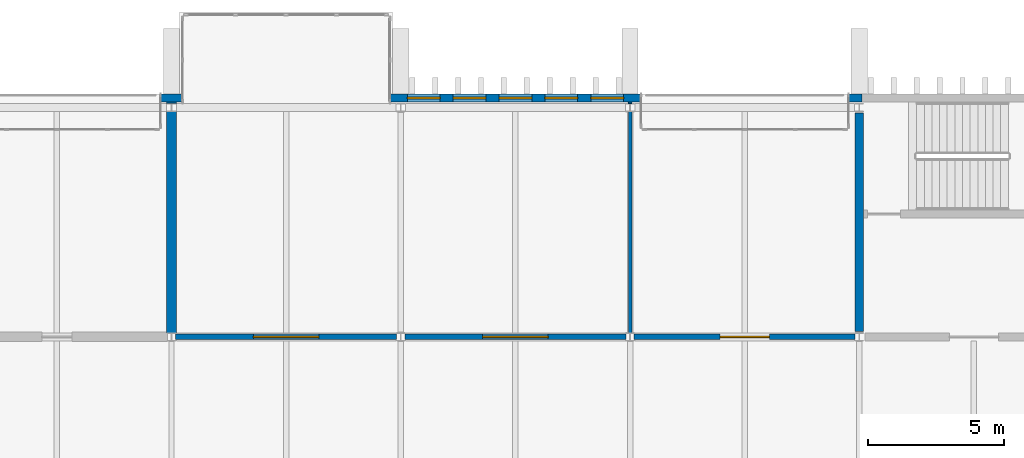
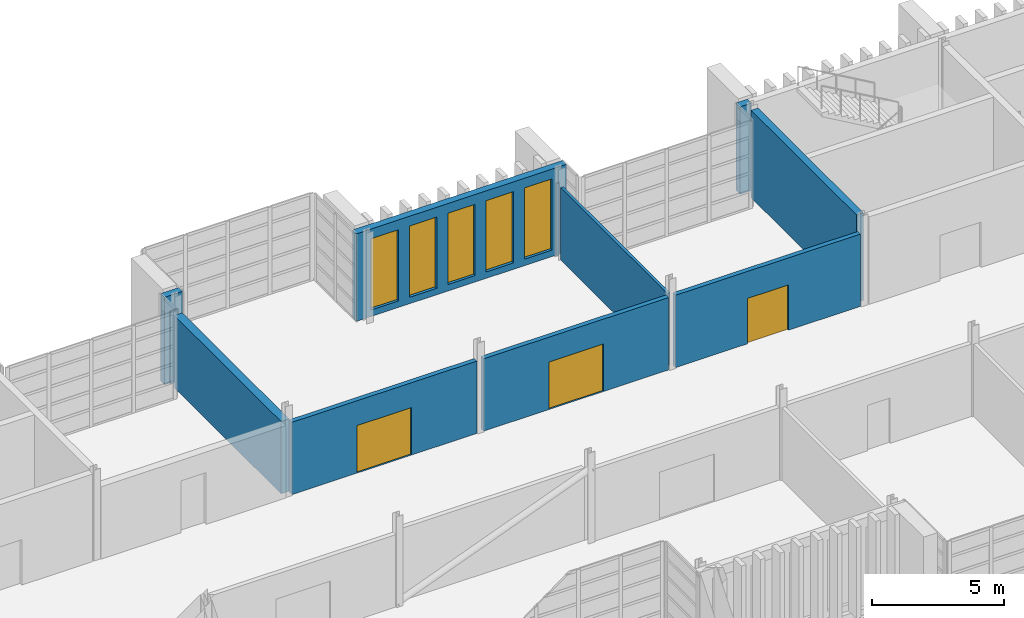
# One storey, part 64 of 100: 11 walls, 5 windows, 3 doors, 8 openings.
"""IFC4 building model written with IfcOpenShell, lengths in metres."""

from ifc_helpers import new_model, si_unit, direction, frame, frame_2d, origin, place, context, subcontext, project, spatial, rectangle, extrude, material, layer, layer_set, type_object, element, fill, save


model = new_model("IFC4")

# Units and contexts
model_context = context("Model", 3, precision=1e-05, world=origin(), true_north=direction((0.0, 1.0)))
body_context = subcontext(model_context, "Body", "Model", "MODEL_VIEW")
ifc_project = project(units=[si_unit("LENGTHUNIT", "METRE"), si_unit("AREAUNIT", "SQUARE_METRE"), si_unit("VOLUMEUNIT", "CUBIC_METRE"), si_unit("PLANEANGLEUNIT", "RADIAN"), si_unit("MASSUNIT", "GRAM", prefix="KILO")], contexts=[model_context])

# Site, building, storey
site_placement = place(None, origin())
site = spatial("IfcSite", under=ifc_project, at=site_placement, CompositionType="ELEMENT")
building_placement = place(site_placement, origin())
building = spatial("IfcBuilding", under=site, at=building_placement, Name="Cresset Court Congress Hotel", CompositionType="ELEMENT")
storey_placement = place(building_placement, frame((0.0, 0.0, 10.199951171875)))
storey = spatial("IfcBuildingStorey", under=building, at=storey_placement, Name="L02", CompositionType="ELEMENT", Elevation=10.199951171875)

# Walls
ifc_material_1 = material(Name="Double gypsum board leaves on steel studs with mineral wool", Category="steel")
ifc_layer_1 = layer(ifc_material_1, 0.35009765625)
ifc_layer_set_1 = layer_set([ifc_layer_1], Name="Acoustic double-leaf boardroom wall 350")
wall_type_1 = type_object("IfcWallType", Name="Acoustic double-leaf boardroom wall 350", PredefinedType="PARTITIONING", material=ifc_layer_set_1)
wall_1_placement = place(storey_placement, frame((75.60009765625, 16.949951171875, 0.0), z_axis=(0.0, 0.0, 1.0), x_axis=(0.0, 1.0, 0.0)))
element("IfcWall", 1, at=wall_1_placement, inside=storey, type_object=wall_type_1, Name="Boardroom acoustic wall", PredefinedType="PARTITIONING", context=body_context, shape_type="SweptSolid", body=[
    extrude(rectangle(XDim=8.10009765625, YDim=0.35009765625, at=frame_2d((4.050048828125, 0.0))), origin(), (0.0, 0.0, 1.0), 3.35009765625),
])
wall_2_placement = place(storey_placement, frame((75.60009765625, 25.35009765625, 0.0), z_axis=(0.0, 0.0, 1.0), x_axis=(0.0, 1.0, 0.0)))
element("IfcWall", 2, at=wall_2_placement, inside=storey, type_object=wall_type_1, Name="Boardroom acoustic wall", PredefinedType="PARTITIONING", context=body_context, shape_type="SweptSolid", body=[
    extrude(rectangle(XDim=0.0498046875, YDim=0.35009765625, at=frame_2d((0.02490234375, 0.0))), origin(), (0.0, 0.0, 1.0), 3.35009765625),
])
ifc_material_2 = material(Name="Concrete C50", Category="concrete")
ifc_layer_2 = layer(ifc_material_2, 0.300048828125)
ifc_layer_set_2 = layer_set([ifc_layer_2], Name="Core wall 300 Concrete C50")
wall_type_2 = type_object("IfcWallType", Name="Core wall 300 Concrete C50", PredefinedType="SHEAR", material=ifc_layer_set_2)
wall_3_placement = place(storey_placement, frame((100.800048828125, 17.0, 0.0), z_axis=(0.0, 0.0, 1.0), x_axis=(0.0, 1.0, 0.0)))
element("IfcWall", 3, at=wall_3_placement, inside=storey, type_object=wall_type_2, Name="Core wall ST-B4", PredefinedType="SHEAR", context=body_context, shape_type="SweptSolid", body=[
    extrude(rectangle(XDim=8.0, YDim=0.300048828125, at=frame_2d((4.0, 0.0))), origin(), (0.0, 0.0, 1.0), 4.050048828125),
])
ifc_material_3 = material(Name="Concrete C40", Category="concrete")
ifc_layer_3 = layer(ifc_material_3, 0.300048828125)
ifc_layer_set_3 = layer_set([ifc_layer_3], Name="External wall 300 Concrete C40")
wall_type_3 = type_object("IfcWallType", Name="External wall 300 Concrete C40", PredefinedType="SOLIDWALL", material=ifc_layer_set_3)
wall_4_placement = place(storey_placement, frame((75.199951171875, 25.550048828125, 0.0), z_axis=(0.0, 0.0, 1.0), x_axis=(1.0, 0.0, 0.0)))
element("IfcWall", 4, at=wall_4_placement, inside=storey, type_object=wall_type_3, Name="External wall", PredefinedType="SOLIDWALL", context=body_context, shape_type="SweptSolid", body=[
    extrude(rectangle(XDim=0.800048828125, YDim=0.300048828125, at=frame_2d((0.39990234375, 0.0))), origin(), (0.0, 0.0, 1.0), 4.050048828125),
])

# Wall, openings, windows
wall_5_placement = place(storey_placement, frame((83.60009765625, 25.550048828125, 0.0), z_axis=(0.0, 0.0, 1.0), x_axis=(1.0, 0.0, 0.0)))
wall_5 = element("IfcWall", 5, at=wall_5_placement, inside=storey, type_object=wall_type_3, Name="External wall", PredefinedType="SOLIDWALL", context=body_context, shape_type="SweptSolid", body=[
    extrude(rectangle(XDim=9.199951171875, YDim=0.300048828125, at=frame_2d((4.60009765625, 0.0))), origin(), (0.0, 0.0, 1.0), 4.050048828125),
])
opening_1_placement = place(wall_5_placement, frame((0.639892578125, 0.0, 0.300048828125)))
opening_1 = element("IfcOpeningElement", 6, at=opening_1_placement, cuts=wall_5, Name="Opening NB-02-59", PredefinedType="OPENING", context=body_context, shape_type="SweptSolid", body=[
    extrude(rectangle(XDim=1.199951171875, YDim=3.300048828125, at=frame_2d((0.60009765625, 1.64990234375))), frame((0.0, 0.159912109375, 0.0), z_axis=(0.0, -1.0, 0.0), x_axis=(1.0, 0.0, 0.0)), (0.0, 0.0, 1.0), 0.320068359375),
])
opening_2_placement = place(wall_5_placement, frame((2.320068359375, 0.0, 0.300048828125)))
opening_2 = element("IfcOpeningElement", 7, at=opening_2_placement, cuts=wall_5, Name="Opening NB-02-60", PredefinedType="OPENING", context=body_context, shape_type="SweptSolid", body=[
    extrude(rectangle(XDim=1.199951171875, YDim=3.300048828125, at=frame_2d((0.60009765625, 1.64990234375))), frame((0.0, 0.159912109375, 0.0), z_axis=(0.0, -1.0, 0.0), x_axis=(1.0, 0.0, 0.0)), (0.0, 0.0, 1.0), 0.320068359375),
])
opening_3_placement = place(wall_5_placement, frame((4.0, 0.0, 0.300048828125)))
opening_3 = element("IfcOpeningElement", 8, at=opening_3_placement, cuts=wall_5, Name="Opening NB-02-61", PredefinedType="OPENING", context=body_context, shape_type="SweptSolid", body=[
    extrude(rectangle(XDim=1.199951171875, YDim=3.300048828125, at=frame_2d((0.60009765625, 1.64990234375))), frame((0.0, 0.159912109375, 0.0), z_axis=(0.0, -1.0, 0.0), x_axis=(1.0, 0.0, 0.0)), (0.0, 0.0, 1.0), 0.320068359375),
])
opening_4_placement = place(wall_5_placement, frame((5.679931640625, 0.0, 0.300048828125)))
opening_4 = element("IfcOpeningElement", 9, at=opening_4_placement, cuts=wall_5, Name="Opening NB-02-62", PredefinedType="OPENING", context=body_context, shape_type="SweptSolid", body=[
    extrude(rectangle(XDim=1.199951171875, YDim=3.300048828125, at=frame_2d((0.60009765625, 1.64990234375))), frame((0.0, 0.159912109375, 0.0), z_axis=(0.0, -1.0, 0.0), x_axis=(1.0, 0.0, 0.0)), (0.0, 0.0, 1.0), 0.320068359375),
])
opening_5_placement = place(wall_5_placement, frame((7.360107421875, 0.0, 0.300048828125)))
opening_5 = element("IfcOpeningElement", 10, at=opening_5_placement, cuts=wall_5, Name="Opening NB-02-63", PredefinedType="OPENING", context=body_context, shape_type="SweptSolid", body=[
    extrude(rectangle(XDim=1.199951171875, YDim=3.300048828125, at=frame_2d((0.60009765625, 1.64990234375))), frame((0.0, 0.159912109375, 0.0), z_axis=(0.0, -1.0, 0.0), x_axis=(1.0, 0.0, 0.0)), (0.0, 0.0, 1.0), 0.320068359375),
])
ifc_material_4 = material(Name="Aluminium frame with double glazing", Category="aluminium")
window_type = type_object("IfcWindowType", Name="Window 1200x3300", PartitioningType="TRIPLE_PANEL_VERTICAL", PredefinedType="WINDOW", material=ifc_material_4)
window_1_placement = place(opening_1_placement, origin())
window_1 = element("IfcWindow", 11, at=window_1_placement, inside=storey, type_object=window_type, Name="Window NB-02-59", OverallHeight=3.300048828125, OverallWidth=1.199951171875, PartitioningType="TRIPLE_PANEL_VERTICAL", PredefinedType="WINDOW", context=body_context, shape_type="SweptSolid", body=[
    extrude(rectangle(XDim=1.199951171875, YDim=3.300048828125, at=frame_2d((0.60009765625, 1.64990234375))), frame((0.0, 0.030029296875, 0.0), z_axis=(0.0, -1.0, 0.0), x_axis=(1.0, 0.0, 0.0)), (0.0, 0.0, 1.0), 0.06005859375),
])
fill(opening_1, window_1)
window_2_placement = place(opening_2_placement, origin())
window_2 = element("IfcWindow", 12, at=window_2_placement, inside=storey, type_object=window_type, Name="Window NB-02-60", OverallHeight=3.300048828125, OverallWidth=1.199951171875, PartitioningType="TRIPLE_PANEL_VERTICAL", PredefinedType="WINDOW", context=body_context, shape_type="SweptSolid", body=[
    extrude(rectangle(XDim=1.199951171875, YDim=3.300048828125, at=frame_2d((0.60009765625, 1.64990234375))), frame((0.0, 0.030029296875, 0.0), z_axis=(0.0, -1.0, 0.0), x_axis=(1.0, 0.0, 0.0)), (0.0, 0.0, 1.0), 0.06005859375),
])
fill(opening_2, window_2)
window_3_placement = place(opening_3_placement, origin())
window_3 = element("IfcWindow", 13, at=window_3_placement, inside=storey, type_object=window_type, Name="Window NB-02-61", OverallHeight=3.300048828125, OverallWidth=1.199951171875, PartitioningType="TRIPLE_PANEL_VERTICAL", PredefinedType="WINDOW", context=body_context, shape_type="SweptSolid", body=[
    extrude(rectangle(XDim=1.199951171875, YDim=3.300048828125, at=frame_2d((0.60009765625, 1.64990234375))), frame((0.0, 0.030029296875, 0.0), z_axis=(0.0, -1.0, 0.0), x_axis=(1.0, 0.0, 0.0)), (0.0, 0.0, 1.0), 0.06005859375),
])
fill(opening_3, window_3)
window_4_placement = place(opening_4_placement, origin())
window_4 = element("IfcWindow", 14, at=window_4_placement, inside=storey, type_object=window_type, Name="Window NB-02-62", OverallHeight=3.300048828125, OverallWidth=1.199951171875, PartitioningType="TRIPLE_PANEL_VERTICAL", PredefinedType="WINDOW", context=body_context, shape_type="SweptSolid", body=[
    extrude(rectangle(XDim=1.199951171875, YDim=3.300048828125, at=frame_2d((0.60009765625, 1.64990234375))), frame((0.0, 0.030029296875, 0.0), z_axis=(0.0, -1.0, 0.0), x_axis=(1.0, 0.0, 0.0)), (0.0, 0.0, 1.0), 0.06005859375),
])
fill(opening_4, window_4)
window_5_placement = place(opening_5_placement, origin())
window_5 = element("IfcWindow", 15, at=window_5_placement, inside=storey, type_object=window_type, Name="Window NB-02-63", OverallHeight=3.300048828125, OverallWidth=1.199951171875, PartitioningType="TRIPLE_PANEL_VERTICAL", PredefinedType="WINDOW", context=body_context, shape_type="SweptSolid", body=[
    extrude(rectangle(XDim=1.199951171875, YDim=3.300048828125, at=frame_2d((0.60009765625, 1.64990234375))), frame((0.0, 0.030029296875, 0.0), z_axis=(0.0, -1.0, 0.0), x_axis=(1.0, 0.0, 0.0)), (0.0, 0.0, 1.0), 0.06005859375),
])
fill(opening_5, window_5)

# Wall
wall_6_placement = place(storey_placement, frame((100.39990234375, 25.550048828125, 0.0), z_axis=(0.0, 0.0, 1.0), x_axis=(1.0, 0.0, 0.0)))
element("IfcWall", 16, at=wall_6_placement, inside=storey, type_object=wall_type_3, Name="External wall", PredefinedType="SOLIDWALL", context=body_context, shape_type="SweptSolid", body=[
    extrude(rectangle(XDim=0.5, YDim=0.300048828125, at=frame_2d((0.25, 0.0))), origin(), (0.0, 0.0, 1.0), 4.050048828125),
])

# Wall, opening, door
ifc_material_5 = material(Name="Gypsum board on steel studs", Category="steel")
ifc_layer_4 = layer(ifc_material_5, 0.199951171875)
ifc_layer_set_4 = layer_set([ifc_layer_4], Name="Foyer wall 200")
wall_type_4 = type_object("IfcWallType", Name="Foyer wall 200", PredefinedType="PARTITIONING", material=ifc_layer_set_4)
wall_7_placement = place(storey_placement, frame((75.75, 16.800048828125, 0.0), z_axis=(0.0, 0.0, 1.0), x_axis=(1.0, 0.0, 0.0)))
wall_7 = element("IfcWall", 17, at=wall_7_placement, inside=storey, type_object=wall_type_4, Name="Foyer wall", PredefinedType="PARTITIONING", context=body_context, shape_type="SweptSolid", body=[
    extrude(rectangle(XDim=8.10009765625, YDim=0.199951171875, at=frame_2d((4.050048828125, 0.0))), origin(), (0.0, 0.0, 1.0), 3.35009765625),
])
opening_6_placement = place(wall_7_placement, frame((2.85009765625, 0.0, 0.0)))
opening_6 = element("IfcOpeningElement", 18, at=opening_6_placement, cuts=wall_7, Name="Opening DB-02-21", PredefinedType="OPENING", context=body_context, shape_type="SweptSolid", body=[
    extrude(rectangle(XDim=2.39990234375, YDim=2.199951171875, at=frame_2d((1.199951171875, 1.10009765625))), frame((0.0, 0.10986328125, 0.0), z_axis=(0.0, -1.0, 0.0), x_axis=(1.0, 0.0, 0.0)), (0.0, 0.0, 1.0), 0.219970703125),
])
ifc_material_6 = material(Name="Timber and steel frame", Category="steel")
door_type_1 = type_object("IfcDoorType", Name="Fire door FD30 double 2400x2200", OperationType="DOUBLE_DOOR_SINGLE_SWING", PredefinedType="DOOR", material=ifc_material_6)
door_1_placement = place(opening_6_placement, origin())
door_1 = element("IfcDoor", 19, at=door_1_placement, inside=storey, type_object=door_type_1, Name="Meeting Room door", OperationType="DOUBLE_DOOR_SINGLE_SWING", OverallHeight=2.199951171875, OverallWidth=2.39990234375, PredefinedType="DOOR", context=body_context, shape_type="SweptSolid", body=[
    extrude(rectangle(XDim=2.39990234375, YDim=2.199951171875, at=frame_2d((1.199951171875, 1.10009765625))), frame((0.0, 0.02490234375, 0.0), z_axis=(0.0, -1.0, 0.0), x_axis=(1.0, 0.0, 0.0)), (0.0, 0.0, 1.0), 0.050048828125),
])
fill(opening_6, door_1)

wall_8_placement = place(storey_placement, frame((84.14990234375, 16.800048828125, 0.0), z_axis=(0.0, 0.0, 1.0), x_axis=(1.0, 0.0, 0.0)))
wall_8 = element("IfcWall", 20, at=wall_8_placement, inside=storey, type_object=wall_type_4, Name="Foyer wall", PredefinedType="PARTITIONING", context=body_context, shape_type="SweptSolid", body=[
    extrude(rectangle(XDim=8.10009765625, YDim=0.199951171875, at=frame_2d((4.050048828125, 0.0))), origin(), (0.0, 0.0, 1.0), 3.35009765625),
])
opening_7_placement = place(wall_8_placement, frame((2.85009765625, 0.0, 0.0)))
opening_7 = element("IfcOpeningElement", 21, at=opening_7_placement, cuts=wall_8, Name="Opening DB-02-22", PredefinedType="OPENING", context=body_context, shape_type="SweptSolid", body=[
    extrude(rectangle(XDim=2.39990234375, YDim=2.199951171875, at=frame_2d((1.199951171875, 1.10009765625))), frame((0.0, 0.10986328125, 0.0), z_axis=(0.0, -1.0, 0.0), x_axis=(1.0, 0.0, 0.0)), (0.0, 0.0, 1.0), 0.219970703125),
])
door_2_placement = place(opening_7_placement, origin())
door_2 = element("IfcDoor", 22, at=door_2_placement, inside=storey, type_object=door_type_1, Name="Meeting Room door", OperationType="DOUBLE_DOOR_SINGLE_SWING", OverallHeight=2.199951171875, OverallWidth=2.39990234375, PredefinedType="DOOR", context=body_context, shape_type="SweptSolid", body=[
    extrude(rectangle(XDim=2.39990234375, YDim=2.199951171875, at=frame_2d((1.199951171875, 1.10009765625))), frame((0.0, 0.02490234375, 0.0), z_axis=(0.0, -1.0, 0.0), x_axis=(1.0, 0.0, 0.0)), (0.0, 0.0, 1.0), 0.050048828125),
])
fill(opening_7, door_2)

wall_9_placement = place(storey_placement, frame((92.550048828125, 16.800048828125, 0.0), z_axis=(0.0, 0.0, 1.0), x_axis=(1.0, 0.0, 0.0)))
wall_9 = element("IfcWall", 23, at=wall_9_placement, inside=storey, type_object=wall_type_4, Name="Foyer wall", PredefinedType="PARTITIONING", context=body_context, shape_type="SweptSolid", body=[
    extrude(rectangle(XDim=8.099853515625, YDim=0.199951171875, at=frame_2d((4.0498046875, 0.0))), origin(), (0.0, 0.0, 1.0), 3.35009765625),
])
opening_8_placement = place(wall_9_placement, frame((3.14990234375, 0.0, 0.0)))
opening_8 = element("IfcOpeningElement", 24, at=opening_8_placement, cuts=wall_9, Name="Opening DB-02-23", PredefinedType="OPENING", context=body_context, shape_type="SweptSolid", body=[
    extrude(rectangle(XDim=1.800048828125, YDim=2.10009765625, at=frame_2d((0.89990234375, 1.050048828125))), frame((0.0, 0.10986328125, 0.0), z_axis=(0.0, -1.0, 0.0), x_axis=(1.0, 0.0, 0.0)), (0.0, 0.0, 1.0), 0.219970703125),
])
ifc_material_7 = material(Name="Timber and steel frame", Category="steel")
door_type_2 = type_object("IfcDoorType", Name="Fire door FD30 double 1800x2100", OperationType="DOUBLE_DOOR_SINGLE_SWING", PredefinedType="DOOR", material=ifc_material_7)
door_3_placement = place(opening_8_placement, origin())
door_3 = element("IfcDoor", 25, at=door_3_placement, inside=storey, type_object=door_type_2, Name="Meeting Room door", OperationType="DOUBLE_DOOR_SINGLE_SWING", OverallHeight=2.10009765625, OverallWidth=1.800048828125, PredefinedType="DOOR", context=body_context, shape_type="SweptSolid", body=[
    extrude(rectangle(XDim=1.800048828125, YDim=2.10009765625, at=frame_2d((0.89990234375, 1.050048828125))), frame((0.0, 0.02490234375, 0.0), z_axis=(0.0, -1.0, 0.0), x_axis=(1.0, 0.0, 0.0)), (0.0, 0.0, 1.0), 0.050048828125),
])
fill(opening_8, door_3)

# Walls
ifc_material_8 = material(Name="Laminated timber panels", Category="wood")
ifc_layer_5 = layer(ifc_material_8, 0.125)
ifc_layer_set_5 = layer_set([ifc_layer_5], Name="Operable partition 125")
wall_type_5 = type_object("IfcWallType", Name="Operable partition 125", PredefinedType="MOVABLE", material=ifc_layer_set_5)
wall_10_placement = place(storey_placement, frame((92.39990234375, 16.949951171875, 0.0), z_axis=(0.0, 0.0, 1.0), x_axis=(0.0, 1.0, 0.0)))
element("IfcWall", 26, at=wall_10_placement, inside=storey, type_object=wall_type_5, Name="Operable partition", PredefinedType="MOVABLE", context=body_context, shape_type="SweptSolid", body=[
    extrude(rectangle(XDim=8.10009765625, YDim=0.125, at=frame_2d((4.050048828125, 0.0))), origin(), (0.0, 0.0, 1.0), 3.35009765625),
])
wall_11_placement = place(storey_placement, frame((92.39990234375, 25.35009765625, 0.0), z_axis=(0.0, 0.0, 1.0), x_axis=(0.0, 1.0, 0.0)))
element("IfcWall", 27, at=wall_11_placement, inside=storey, type_object=wall_type_5, Name="Operable partition", PredefinedType="MOVABLE", context=body_context, shape_type="SweptSolid", body=[
    extrude(rectangle(XDim=0.0498046875, YDim=0.125, at=frame_2d((0.02490234375, 0.0))), origin(), (0.0, 0.0, 1.0), 3.35009765625),
])

save(model, "model.ifc")
